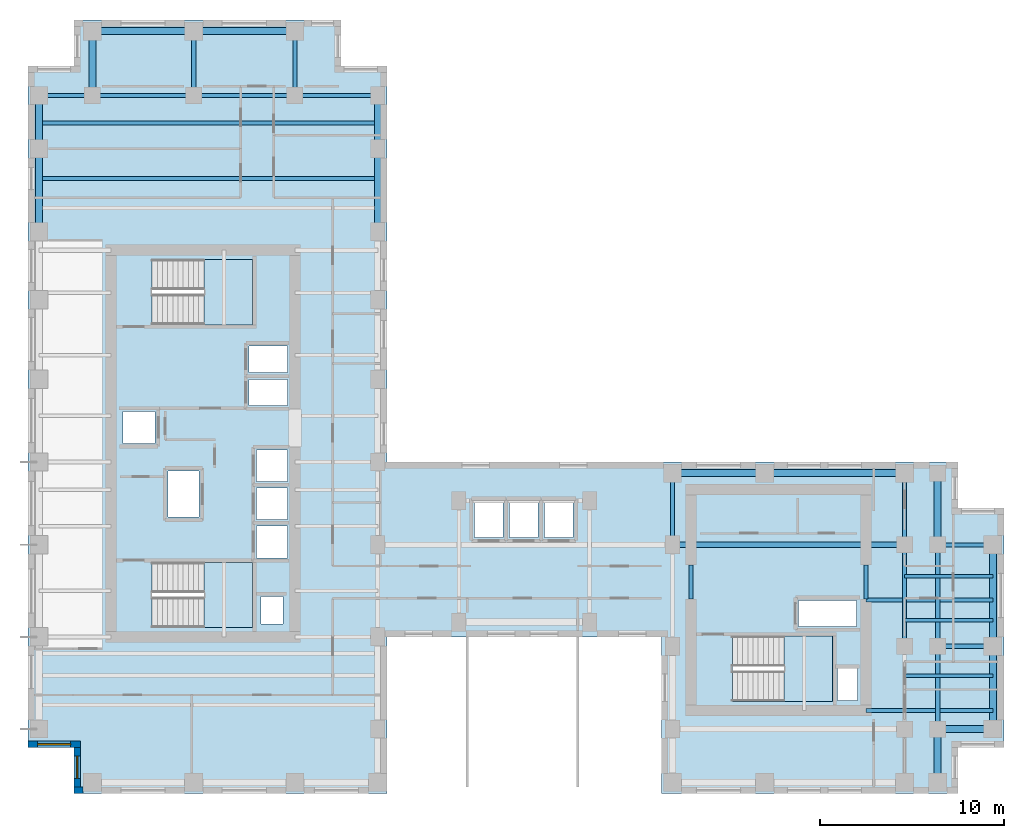
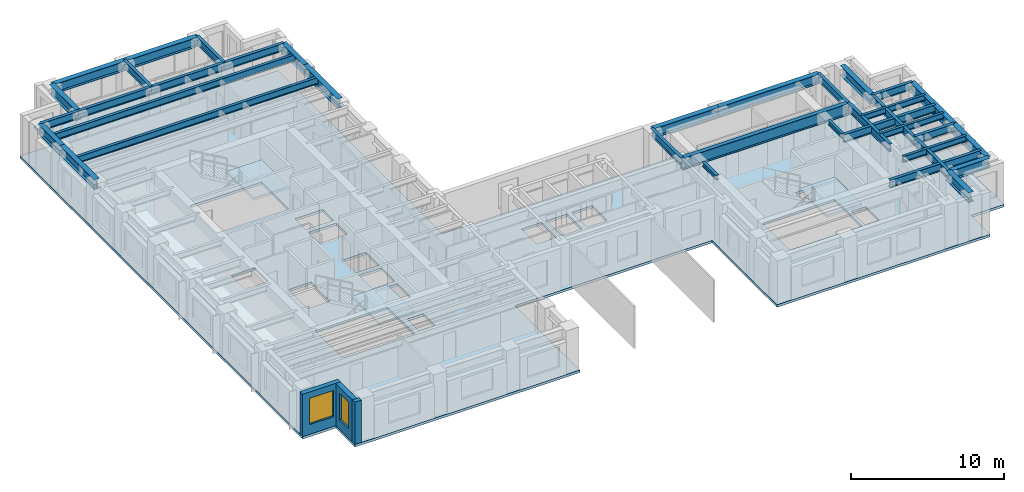
# One storey, part 2 of 11: 37 beams, 4 slabs, 3 walls, 2 windows, 2 openings, 3 elements without a shape of their own.
"""IFC4 building model written with IfcOpenShell, lengths in metres."""

from ifc_helpers import new_model, si_unit, direction, frame, frame_2d, origin, origin_2d, place, context, subcontext, project, spatial, polyline, rectangle, i_section, outline, extrude, source, transform, mapped, material, layer, layer_set, material_profile, profile_set, type_object, element, fill, aggregate, save


model = new_model("IFC4")

# Units and contexts
model_context = context("Model", 3, precision=1e-05, world=origin(), true_north=direction((0.0, 1.0)))
body_context = subcontext(model_context, "Body", "Model", "MODEL_VIEW")
ifc_project = project(units=[si_unit("LENGTHUNIT", "METRE"), si_unit("AREAUNIT", "SQUARE_METRE"), si_unit("VOLUMEUNIT", "CUBIC_METRE"), si_unit("PLANEANGLEUNIT", "RADIAN"), si_unit("MASSUNIT", "GRAM", prefix="KILO")], contexts=[model_context])

# Site, building, storey
site_placement = place(None, origin())
site = spatial("IfcSite", under=ifc_project, at=site_placement, CompositionType="ELEMENT")
building_placement = place(site_placement, origin())
building = spatial("IfcBuilding", under=site, at=building_placement, Name="Kharzan Plaza Tower", CompositionType="ELEMENT")
storey_placement = place(building_placement, frame((0.0, 0.0, 186.300048828125)))
storey = spatial("IfcBuildingStorey", under=building, at=storey_placement, Name="L50", CompositionType="ELEMENT", Elevation=186.300048828125)

# Beams
ifc_material_1 = material(Name="Steel S355", Category="steel")
ifc_material_profile_1 = material_profile(ifc_material_1, i_section(OverallWidth=0.205078125, OverallDepth=0.35400390625, WebThickness=0.009521484375, FlangeThickness=0.016845703125, at=origin_2d()), Name="W360x79")
ifc_profile_set_1 = profile_set([ifc_material_profile_1], Name="Steel S355")
beam_type_1 = type_object("IfcBeamType", Name="BM-LNT360", PredefinedType="LINTEL", material=ifc_profile_set_1)
shared_shape_1 = source(origin(), body_context, "Body", "SweptSolid", [
    extrude(i_section(OverallWidth=0.205078125, OverallDepth=0.35400390625, WebThickness=0.009521484375, FlangeThickness=0.016845703125, at=origin_2d()), origin(), (0.0, 0.0, 1.0), 1.849853515625),
])
for number, where, z_axis, x_axis, name in (
    (1, (45.5, 10.550048828125, 3.222900390625), (0.0, 1.0, 0.0), (-1.0, 0.0, 0.0), "L50 CORE-B coupling lintel LN1-WE"),
    (2, (36.0, 10.550048828125, 3.222900390625), (0.0, 1.0, 0.0), (-1.0, 0.0, 0.0), "L50 CORE-B coupling lintel LN1-WW"),
):
    element("IfcBeam", number, at=place(storey_placement, frame(where, z_axis=z_axis, x_axis=x_axis)), inside=storey, type_object=beam_type_1, Name=name, PredefinedType="LINTEL", context=body_context, shape_type="MappedRepresentation", body=[
        mapped(shared_shape_1, transform((0.0, 0.0, 0.0), x_axis=(1.0, 0.0, 0.0), y_axis=(0.0, 1.0, 0.0), z_axis=(0.0, 0.0, 1.0))),
    ])
ifc_material_profile_2 = material_profile(ifc_material_1, i_section(OverallWidth=0.304931640625, OverallDepth=0.9189453125, WebThickness=0.017333984375, FlangeThickness=0.02783203125, at=origin_2d()), Name="W920x253")
ifc_profile_set_2 = profile_set([ifc_material_profile_2], Name="Steel S355")
beam_type_2 = type_object("IfcBeamType", Name="BM-FG920B", PredefinedType="BEAM", material=ifc_profile_set_2)
shared_shape_2 = source(origin(), body_context, "Body", "SweptSolid", [
    extrude(i_section(OverallWidth=0.304931640625, OverallDepth=0.9189453125, WebThickness=0.017333984375, FlangeThickness=0.02783203125, at=origin_2d()), origin(), (0.0, 0.0, 1.0), 12.60009765625),
])
beam_1_placement = place(storey_placement, frame((35.0, 13.5, 2.9404296875), z_axis=(1.0, 0.0, 0.0), x_axis=(0.0, 1.0, 0.0)))
element("IfcBeam", 3, at=beam_1_placement, inside=storey, type_object=beam_type_2, Name="L50 Primary Floor Girder", PredefinedType="BEAM", context=body_context, shape_type="MappedRepresentation", body=[
    mapped(shared_shape_2, transform((0.0, 0.0, 0.0), x_axis=(1.0, 0.0, 0.0), y_axis=(0.0, 1.0, 0.0), z_axis=(0.0, 0.0, 1.0))),
])
ifc_material_profile_3 = material_profile(ifc_material_1, i_section(OverallWidth=0.2099609375, OverallDepth=0.537109375, WebThickness=0.010986328125, FlangeThickness=0.017333984375, at=origin_2d()), Name="W530x101")
ifc_profile_set_3 = profile_set([ifc_material_profile_3], Name="Steel S355")
beam_type_3 = type_object("IfcBeamType", Name="BM-JST530B", PredefinedType="JOIST", material=ifc_profile_set_3)
shared_shape_3 = source(origin(), body_context, "Body", "SweptSolid", [
    extrude(i_section(OverallWidth=0.2099609375, OverallDepth=0.537109375, WebThickness=0.010986328125, FlangeThickness=0.017333984375, at=origin_2d()), origin(), (0.0, 0.0, 1.0), 18.39990234375),
])
for number, where, z_axis, x_axis, name in (
    (4, (0.60009765625, 33.39990234375, 3.13134765625), (1.0, 0.0, 0.0), (0.0, 1.0, 0.0), "L50 Wing A Composite Joist 05"),
    (5, (0.60009765625, 36.39990234375, 3.13134765625), (1.0, 0.0, 0.0), (0.0, 1.0, 0.0), "L50 Wing A Composite Joist 06"),
):
    element("IfcBeam", number, at=place(storey_placement, frame(where, z_axis=z_axis, x_axis=x_axis)), inside=storey, type_object=beam_type_3, Name=name, PredefinedType="JOIST", context=body_context, shape_type="MappedRepresentation", body=[
        mapped(shared_shape_3, transform((0.0, 0.0, 0.0), x_axis=(1.0, 0.0, 0.0), y_axis=(0.0, 1.0, 0.0), z_axis=(0.0, 0.0, 1.0))),
    ])
ifc_material_profile_4 = material_profile(ifc_material_1, i_section(OverallWidth=0.22900390625, OverallDepth=0.612060546875, WebThickness=0.011962890625, FlangeThickness=0.01953125, at=origin_2d()), Name="W610x125")
ifc_profile_set_4 = profile_set([ifc_material_profile_4], Name="Steel S355")
beam_type_4 = type_object("IfcBeamType", Name="BM-FG610B", PredefinedType="BEAM", material=ifc_profile_set_4)
shared_shape_4 = source(origin(), body_context, "Body", "SweptSolid", [
    extrude(i_section(OverallWidth=0.22900390625, OverallDepth=0.612060546875, WebThickness=0.011962890625, FlangeThickness=0.01953125, at=origin_2d()), origin(), (0.0, 0.0, 1.0), 4.5),
])
for number, where, z_axis, x_axis, name in (
    (6, (49.39990234375, 3.5, 3.093994140625), (0.0, 1.0, 0.0), (-1.0, 0.0, 0.0), "L50 Interior Frame Girder"),
    (7, (14.5, 37.89990234375, 3.093994140625), (1.0, 0.0, 0.0), (0.0, 1.0, 0.0), "L50 Primary Floor Girder"),
):
    element("IfcBeam", number, at=place(storey_placement, frame(where, z_axis=z_axis, x_axis=x_axis)), inside=storey, type_object=beam_type_4, Name=name, PredefinedType="BEAM", context=body_context, shape_type="MappedRepresentation", body=[
        mapped(shared_shape_4, transform((0.0, 0.0, 0.0), x_axis=(1.0, 0.0, 0.0), y_axis=(0.0, 1.0, 0.0), z_axis=(0.0, 0.0, 1.0))),
    ])
shared_shape_5 = source(origin(), body_context, "Body", "SweptSolid", [
    extrude(i_section(OverallWidth=0.22900390625, OverallDepth=0.612060546875, WebThickness=0.011962890625, FlangeThickness=0.01953125, at=origin_2d()), origin(), (0.0, 0.0, 1.0), 3.89990234375),
])
for number, where, z_axis, x_axis, name in (
    (8, (35.0, 13.5, 3.093994140625), (0.0, 1.0, 0.0), (-1.0, 0.0, 0.0), "L50 Interior Frame Girder"),
    (9, (47.60009765625, 13.5, 3.093994140625), (0.0, 1.0, 0.0), (-1.0, 0.0, 0.0), "L50 Interior Frame Girder"),
):
    element("IfcBeam", number, at=place(storey_placement, frame(where, z_axis=z_axis, x_axis=x_axis)), inside=storey, type_object=beam_type_4, Name=name, PredefinedType="BEAM", context=body_context, shape_type="MappedRepresentation", body=[
        mapped(shared_shape_5, transform((0.0, 0.0, 0.0), x_axis=(1.0, 0.0, 0.0), y_axis=(0.0, 1.0, 0.0), z_axis=(0.0, 0.0, 1.0))),
    ])
shared_shape_6 = source(origin(), body_context, "Body", "SweptSolid", [
    extrude(i_section(OverallWidth=0.22900390625, OverallDepth=0.612060546875, WebThickness=0.011962890625, FlangeThickness=0.01953125, at=origin_2d()), origin(), (0.0, 0.0, 1.0), 6.89990234375),
])
for number, where, z_axis, x_axis, name in (
    (10, (45.5, 4.5, 3.093994140625), (1.0, 0.0, 0.0), (0.0, 1.0, 0.0), "L50 Core-B East Floor Girder 1"),
    (11, (45.5, 10.5, 3.093994140625), (1.0, 0.0, 0.0), (0.0, 1.0, 0.0), "L50 Core-B East Floor Girder 2"),
):
    element("IfcBeam", number, at=place(storey_placement, frame(where, z_axis=z_axis, x_axis=x_axis)), inside=storey, type_object=beam_type_4, Name=name, PredefinedType="BEAM", context=body_context, shape_type="MappedRepresentation", body=[
        mapped(shared_shape_6, transform((0.0, 0.0, 0.0), x_axis=(1.0, 0.0, 0.0), y_axis=(0.0, 1.0, 0.0), z_axis=(0.0, 0.0, 1.0))),
    ])
shared_shape_7 = source(origin(), body_context, "Body", "SweptSolid", [
    extrude(i_section(OverallWidth=0.22900390625, OverallDepth=0.612060546875, WebThickness=0.011962890625, FlangeThickness=0.01953125, at=origin_2d()), origin(), (0.0, 0.0, 1.0), 3.5),
])
for number, where, z_axis, x_axis, name in (
    (12, (9.0, 37.89990234375, 3.093994140625), (0.0, 1.0, 0.0), (-1.0, 0.0, 0.0), "L50 Interior Frame Girder"),
    (13, (14.5, 37.89990234375, 3.093994140625), (0.0, 1.0, 0.0), (-1.0, 0.0, 0.0), "L50 Interior Frame Girder"),
):
    element("IfcBeam", number, at=place(storey_placement, frame(where, z_axis=z_axis, x_axis=x_axis)), inside=storey, type_object=beam_type_4, Name=name, PredefinedType="BEAM", context=body_context, shape_type="MappedRepresentation", body=[
        mapped(shared_shape_7, transform((0.0, 0.0, 0.0), x_axis=(1.0, 0.0, 0.0), y_axis=(0.0, 1.0, 0.0), z_axis=(0.0, 0.0, 1.0))),
    ])
shared_shape_8 = source(origin(), body_context, "Body", "SweptSolid", [
    extrude(i_section(OverallWidth=0.22900390625, OverallDepth=0.612060546875, WebThickness=0.011962890625, FlangeThickness=0.01953125, at=origin_2d()), origin(), (0.0, 0.0, 1.0), 5.5),
])
for number, where, z_axis, x_axis, name in (
    (14, (47.60009765625, 8.0, 3.093994140625), (0.0, 1.0, 0.0), (-1.0, 0.0, 0.0), "L50 Interior Frame Girder"),
    (15, (49.39990234375, 8.0, 3.093994140625), (0.0, 1.0, 0.0), (-1.0, 0.0, 0.0), "L50 Interior Frame Girder"),
    (16, (3.5, 37.89990234375, 3.093994140625), (1.0, 0.0, 0.0), (0.0, 1.0, 0.0), "L50 Primary Floor Girder"),
    (17, (9.0, 37.89990234375, 3.093994140625), (1.0, 0.0, 0.0), (0.0, 1.0, 0.0), "L50 Primary Floor Girder"),
):
    element("IfcBeam", number, at=place(storey_placement, frame(where, z_axis=z_axis, x_axis=x_axis)), inside=storey, type_object=beam_type_4, Name=name, PredefinedType="BEAM", context=body_context, shape_type="MappedRepresentation", body=[
        mapped(shared_shape_8, transform((0.0, 0.0, 0.0), x_axis=(1.0, 0.0, 0.0), y_axis=(0.0, 1.0, 0.0), z_axis=(0.0, 0.0, 1.0))),
    ])
shared_shape_9 = source(origin(), body_context, "Body", "SweptSolid", [
    extrude(i_section(OverallWidth=0.22900390625, OverallDepth=0.612060546875, WebThickness=0.011962890625, FlangeThickness=0.01953125, at=origin_2d()), origin(), (0.0, 0.0, 1.0), 2.89990234375),
])
beam_2_placement = place(storey_placement, frame((0.60009765625, 37.89990234375, 3.093994140625), z_axis=(1.0, 0.0, 0.0), x_axis=(0.0, 1.0, 0.0)))
element("IfcBeam", 18, at=beam_2_placement, inside=storey, type_object=beam_type_4, Name="L50 Primary Floor Girder", PredefinedType="BEAM", context=body_context, shape_type="MappedRepresentation", body=[
    mapped(shared_shape_9, transform((0.0, 0.0, 0.0), x_axis=(1.0, 0.0, 0.0), y_axis=(0.0, 1.0, 0.0), z_axis=(0.0, 0.0, 1.0))),
])
shared_shape_10 = source(origin(), body_context, "Body", "SweptSolid", [
    extrude(i_section(OverallWidth=0.22900390625, OverallDepth=0.612060546875, WebThickness=0.011962890625, FlangeThickness=0.01953125, at=origin_2d()), origin(), (0.0, 0.0, 1.0), 3.0),
])
for number, where, z_axis, x_axis, name in (
    (19, (49.39990234375, 8.0, 3.093994140625), (1.0, 0.0, 0.0), (0.0, 1.0, 0.0), "L50 Primary Floor Girder"),
    (20, (49.39990234375, 13.5, 3.093994140625), (1.0, 0.0, 0.0), (0.0, 1.0, 0.0), "L50 Primary Floor Girder"),
):
    element("IfcBeam", number, at=place(storey_placement, frame(where, z_axis=z_axis, x_axis=x_axis)), inside=storey, type_object=beam_type_4, Name=name, PredefinedType="BEAM", context=body_context, shape_type="MappedRepresentation", body=[
        mapped(shared_shape_10, transform((0.0, 0.0, 0.0), x_axis=(1.0, 0.0, 0.0), y_axis=(0.0, 1.0, 0.0), z_axis=(0.0, 0.0, 1.0))),
    ])
ifc_material_profile_5 = material_profile(ifc_material_1, i_section(OverallWidth=0.194091796875, OverallDepth=0.468994140625, WebThickness=0.011474609375, FlangeThickness=0.0205078125, at=origin_2d()), Name="W460x106")
ifc_profile_set_5 = profile_set([ifc_material_profile_5], Name="Steel S355")
beam_type_5 = type_object("IfcBeamType", Name="BM-JST460", PredefinedType="JOIST", material=ifc_profile_set_5)
shared_shape_11 = source(origin(), body_context, "Body", "SweptSolid", [
    extrude(i_section(OverallWidth=0.194091796875, OverallDepth=0.468994140625, WebThickness=0.011474609375, FlangeThickness=0.0205078125, at=origin_2d()), origin(), (0.0, 0.0, 1.0), 4.7998046875),
])
for number, where, z_axis, x_axis, name in (
    (21, (47.60009765625, 6.39990234375, 3.16552734375), (1.0, 0.0, 0.0), (0.0, 1.0, 0.0), "L50 Wing B Composite Joist 02"),
    (22, (47.60009765625, 9.39990234375, 3.16552734375), (1.0, 0.0, 0.0), (0.0, 1.0, 0.0), "L50 Wing B Composite Joist 03"),
    (23, (47.60009765625, 11.800048828125, 3.16552734375), (1.0, 0.0, 0.0), (0.0, 1.0, 0.0), "L50 Wing B Composite Joist 04"),
):
    element("IfcBeam", number, at=place(storey_placement, frame(where, z_axis=z_axis, x_axis=x_axis)), inside=storey, type_object=beam_type_5, Name=name, PredefinedType="JOIST", context=body_context, shape_type="MappedRepresentation", body=[
        mapped(shared_shape_11, transform((0.0, 0.0, 0.0), x_axis=(1.0, 0.0, 0.0), y_axis=(0.0, 1.0, 0.0), z_axis=(0.0, 0.0, 1.0))),
    ])
ifc_material_profile_6 = material_profile(ifc_material_1, i_section(OverallWidth=0.381103515625, OverallDepth=0.77294921875, WebThickness=0.0166015625, FlangeThickness=0.027587890625, at=origin_2d()), Name="W760x257")
ifc_profile_set_6 = profile_set([ifc_material_profile_6], Name="Steel S355")
beam_type_6 = type_object("IfcBeamType", Name="BM-SP760A", PredefinedType="SPANDREL", material=ifc_profile_set_6)
shared_shape_12 = source(origin(), body_context, "Body", "SweptSolid", [
    extrude(i_section(OverallWidth=0.381103515625, OverallDepth=0.77294921875, WebThickness=0.0166015625, FlangeThickness=0.027587890625, at=origin_2d()), origin(), (0.0, 0.0, 1.0), 5.0),
])
beam_3_placement = place(storey_placement, frame((35.0, 17.39990234375, 3.013427734375), z_axis=(1.0, 0.0, 0.0), x_axis=(0.0, 1.0, 0.0)))
element("IfcBeam", 24, at=beam_3_placement, inside=storey, type_object=beam_type_6, Name="L50 Perimeter Tube Spandrel", PredefinedType="SPANDREL", context=body_context, shape_type="MappedRepresentation", body=[
    mapped(shared_shape_12, transform((0.0, 0.0, 0.0), x_axis=(1.0, 0.0, 0.0), y_axis=(0.0, 1.0, 0.0), z_axis=(0.0, 0.0, 1.0))),
])
shared_shape_13 = source(origin(), body_context, "Body", "SweptSolid", [
    extrude(i_section(OverallWidth=0.381103515625, OverallDepth=0.77294921875, WebThickness=0.0166015625, FlangeThickness=0.027587890625, at=origin_2d()), origin(), (0.0, 0.0, 1.0), 4.5),
])
for number, where, z_axis, x_axis, name in (
    (25, (0.60009765625, 30.5, 3.013427734375), (0.0, 1.0, 0.0), (-1.0, 0.0, 0.0), "L50 Perimeter Tube Spandrel"),
    (26, (19.0, 30.5, 3.013427734375), (0.0, 1.0, 0.0), (-1.0, 0.0, 0.0), "L50 Perimeter Tube Spandrel"),
    (27, (52.39990234375, 3.5, 3.013427734375), (0.0, 1.0, 0.0), (-1.0, 0.0, 0.0), "L50 Perimeter Tube Spandrel"),
):
    element("IfcBeam", number, at=place(storey_placement, frame(where, z_axis=z_axis, x_axis=x_axis)), inside=storey, type_object=beam_type_6, Name=name, PredefinedType="SPANDREL", context=body_context, shape_type="MappedRepresentation", body=[
        mapped(shared_shape_13, transform((0.0, 0.0, 0.0), x_axis=(1.0, 0.0, 0.0), y_axis=(0.0, 1.0, 0.0), z_axis=(0.0, 0.0, 1.0))),
    ])
shared_shape_14 = source(origin(), body_context, "Body", "SweptSolid", [
    extrude(i_section(OverallWidth=0.381103515625, OverallDepth=0.77294921875, WebThickness=0.0166015625, FlangeThickness=0.027587890625, at=origin_2d()), origin(), (0.0, 0.0, 1.0), 2.89990234375),
])
for number, where, z_axis, x_axis, name in (
    (28, (0.60009765625, 35.0, 3.013427734375), (0.0, 1.0, 0.0), (-1.0, 0.0, 0.0), "L50 Perimeter Tube Spandrel"),
    (29, (19.0, 35.0, 3.013427734375), (0.0, 1.0, 0.0), (-1.0, 0.0, 0.0), "L50 Perimeter Tube Spandrel"),
    (30, (49.39990234375, 0.60009765625, 3.013427734375), (0.0, 1.0, 0.0), (-1.0, 0.0, 0.0), "L50 Perimeter Tube Spandrel"),
):
    element("IfcBeam", number, at=place(storey_placement, frame(where, z_axis=z_axis, x_axis=x_axis)), inside=storey, type_object=beam_type_6, Name=name, PredefinedType="SPANDREL", context=body_context, shape_type="MappedRepresentation", body=[
        mapped(shared_shape_14, transform((0.0, 0.0, 0.0), x_axis=(1.0, 0.0, 0.0), y_axis=(0.0, 1.0, 0.0), z_axis=(0.0, 0.0, 1.0))),
    ])
shared_shape_15 = source(origin(), body_context, "Body", "SweptSolid", [
    extrude(i_section(OverallWidth=0.381103515625, OverallDepth=0.77294921875, WebThickness=0.0166015625, FlangeThickness=0.027587890625, at=origin_2d()), origin(), (0.0, 0.0, 1.0), 3.5),
])
beam_4_placement = place(storey_placement, frame((3.5, 37.89990234375, 3.013427734375), z_axis=(0.0, 1.0, 0.0), x_axis=(-1.0, 0.0, 0.0)))
element("IfcBeam", 31, at=beam_4_placement, inside=storey, type_object=beam_type_6, Name="L50 Perimeter Tube Spandrel", PredefinedType="SPANDREL", context=body_context, shape_type="MappedRepresentation", body=[
    mapped(shared_shape_15, transform((0.0, 0.0, 0.0), x_axis=(1.0, 0.0, 0.0), y_axis=(0.0, 1.0, 0.0), z_axis=(0.0, 0.0, 1.0))),
])
shared_shape_16 = source(origin(), body_context, "Body", "SweptSolid", [
    extrude(i_section(OverallWidth=0.381103515625, OverallDepth=0.77294921875, WebThickness=0.0166015625, FlangeThickness=0.027587890625, at=origin_2d()), origin(), (0.0, 0.0, 1.0), 3.89990234375),
])
beam_5_placement = place(storey_placement, frame((49.39990234375, 13.5, 3.013427734375), z_axis=(0.0, 1.0, 0.0), x_axis=(-1.0, 0.0, 0.0)))
element("IfcBeam", 32, at=beam_5_placement, inside=storey, type_object=beam_type_6, Name="L50 Perimeter Tube Spandrel", PredefinedType="SPANDREL", context=body_context, shape_type="MappedRepresentation", body=[
    mapped(shared_shape_16, transform((0.0, 0.0, 0.0), x_axis=(1.0, 0.0, 0.0), y_axis=(0.0, 1.0, 0.0), z_axis=(0.0, 0.0, 1.0))),
])
shared_shape_17 = source(origin(), body_context, "Body", "SweptSolid", [
    extrude(i_section(OverallWidth=0.381103515625, OverallDepth=0.77294921875, WebThickness=0.0166015625, FlangeThickness=0.027587890625, at=origin_2d()), origin(), (0.0, 0.0, 1.0), 5.5),
])
for number, where, z_axis, x_axis, name in (
    (33, (52.39990234375, 8.0, 3.013427734375), (0.0, 1.0, 0.0), (-1.0, 0.0, 0.0), "L50 Perimeter Tube Spandrel"),
    (34, (3.5, 41.39990234375, 3.013427734375), (1.0, 0.0, 0.0), (0.0, 1.0, 0.0), "L50 Perimeter Tube Spandrel"),
    (35, (9.0, 41.39990234375, 3.013427734375), (1.0, 0.0, 0.0), (0.0, 1.0, 0.0), "L50 Perimeter Tube Spandrel"),
):
    element("IfcBeam", number, at=place(storey_placement, frame(where, z_axis=z_axis, x_axis=x_axis)), inside=storey, type_object=beam_type_6, Name=name, PredefinedType="SPANDREL", context=body_context, shape_type="MappedRepresentation", body=[
        mapped(shared_shape_17, transform((0.0, 0.0, 0.0), x_axis=(1.0, 0.0, 0.0), y_axis=(0.0, 1.0, 0.0), z_axis=(0.0, 0.0, 1.0))),
    ])
shared_shape_18 = source(origin(), body_context, "Body", "SweptSolid", [
    extrude(i_section(OverallWidth=0.381103515625, OverallDepth=0.77294921875, WebThickness=0.0166015625, FlangeThickness=0.027587890625, at=origin_2d()), origin(), (0.0, 0.0, 1.0), 7.60009765625),
])
beam_6_placement = place(storey_placement, frame((40.0, 17.39990234375, 3.013427734375), z_axis=(1.0, 0.0, 0.0), x_axis=(0.0, 1.0, 0.0)))
element("IfcBeam", 36, at=beam_6_placement, inside=storey, type_object=beam_type_6, Name="L50 Perimeter Tube Spandrel", PredefinedType="SPANDREL", context=body_context, shape_type="MappedRepresentation", body=[
    mapped(shared_shape_18, transform((0.0, 0.0, 0.0), x_axis=(1.0, 0.0, 0.0), y_axis=(0.0, 1.0, 0.0), z_axis=(0.0, 0.0, 1.0))),
])
shared_shape_19 = source(origin(), body_context, "Body", "SweptSolid", [
    extrude(i_section(OverallWidth=0.381103515625, OverallDepth=0.77294921875, WebThickness=0.0166015625, FlangeThickness=0.027587890625, at=origin_2d()), origin(), (0.0, 0.0, 1.0), 3.0),
])
beam_7_placement = place(storey_placement, frame((49.39990234375, 3.5, 3.013427734375), z_axis=(1.0, 0.0, 0.0), x_axis=(0.0, 1.0, 0.0)))
element("IfcBeam", 37, at=beam_7_placement, inside=storey, type_object=beam_type_6, Name="L50 Perimeter Tube Spandrel", PredefinedType="SPANDREL", context=body_context, shape_type="MappedRepresentation", body=[
    mapped(shared_shape_19, transform((0.0, 0.0, 0.0), x_axis=(1.0, 0.0, 0.0), y_axis=(0.0, 1.0, 0.0), z_axis=(0.0, 0.0, 1.0))),
])

# Slab
ifc_material_2 = material(Name="Concrete C40/50", Category="concrete")
ifc_layer_1 = layer(ifc_material_2, 0.199951171875)
ifc_layer_set_1 = layer_set([ifc_layer_1], Name="Concrete C40/50")
slab_type_1 = type_object("IfcSlabType", Name="SL-FLOOR-200", PredefinedType="FLOOR", material=ifc_layer_set_1)
slab_1_placement = place(storey_placement, frame((0.0, 0.0, -0.199951171875)))
element("IfcSlab", 38, at=slab_1_placement, inside=storey, type_object=slab_type_1, Name="L50 Composite Structural Floor Slab 200 mm", PredefinedType="FLOOR", context=body_context, shape_type="SweptSolid", body=[
    extrude(outline(polyline([(34.39990234375, 18.0), (19.5, 18.0), (19.5, 39.5), (17.0, 39.5), (17.0, 42.0), (2.5, 42.0), (2.5, 39.5), (0.0, 39.5), (0.0, 2.5), (2.5, 2.5), (2.5, 0.0), (19.5, 0.0), (19.5, 8.5), (34.39990234375, 8.5), (34.39990234375, 0.0), (50.5, 0.0), (50.5, 2.5), (53.0, 2.5), (53.0, 15.5), (50.5, 15.5), (50.5, 18.0), (34.39990234375, 18.0)]), holes=[polyline([(12.199951171875, 9.0), (12.199951171875, 12.550048828125), (6.75, 12.550048828125), (6.75, 9.0), (12.199951171875, 9.0)]), polyline([(14.10009765625, 12.800048828125), (14.10009765625, 14.530029296875), (12.39990234375, 14.530029296875), (12.39990234375, 12.800048828125), (14.10009765625, 12.800048828125)]), polyline([(14.10009765625, 14.8701171875), (14.10009765625, 16.60009765625), (12.39990234375, 16.60009765625), (12.39990234375, 14.8701171875), (14.10009765625, 14.8701171875)]), polyline([(9.300048828125, 15.0), (9.300048828125, 17.5), (7.60009765625, 17.5), (7.60009765625, 15.0), (9.300048828125, 15.0)]), polyline([(6.89990234375, 19.010009765625), (6.89990234375, 20.72998046875), (5.14990234375, 20.72998046875), (5.14990234375, 19.010009765625), (6.89990234375, 19.010009765625)]), polyline([(14.10009765625, 21.070068359375), (14.10009765625, 22.489990234375), (12.0, 22.489990234375), (12.0, 21.070068359375), (14.10009765625, 21.070068359375)]), polyline([(14.10009765625, 22.8701171875), (14.10009765625, 24.2900390625), (12.0, 24.2900390625), (12.0, 22.8701171875), (14.10009765625, 22.8701171875)]), polyline([(12.199951171875, 25.449951171875), (12.199951171875, 29.0), (6.75, 29.0), (6.75, 25.449951171875), (12.199951171875, 25.449951171875)]), polyline([(45.050048828125, 5.050048828125), (45.050048828125, 6.800048828125), (43.949951171875, 6.800048828125), (43.949951171875, 5.050048828125), (45.050048828125, 5.050048828125)]), polyline([(43.699951171875, 5.0), (43.699951171875, 8.550048828125), (38.25, 8.550048828125), (38.25, 5.0), (43.699951171875, 5.0)]), polyline([(45.0, 9.070068359375), (45.0, 10.469970703125), (41.85009765625, 10.469970703125), (41.85009765625, 9.070068359375), (45.0, 9.070068359375)]), polyline([(13.85009765625, 9.199951171875), (13.85009765625, 10.699951171875), (12.64990234375, 10.699951171875), (12.64990234375, 9.199951171875), (13.85009765625, 9.199951171875)]), polyline([(25.800048828125, 13.89990234375), (25.800048828125, 15.85009765625), (24.25, 15.85009765625), (24.25, 13.89990234375), (25.800048828125, 13.89990234375)]), polyline([(27.699951171875, 13.89990234375), (27.699951171875, 15.85009765625), (26.14990234375, 15.85009765625), (26.14990234375, 13.89990234375), (27.699951171875, 13.89990234375)]), polyline([(29.60009765625, 13.89990234375), (29.60009765625, 15.85009765625), (28.050048828125, 15.85009765625), (28.050048828125, 13.89990234375), (29.60009765625, 13.89990234375)]), polyline([(14.10009765625, 16.93994140625), (14.10009765625, 18.64990234375), (12.39990234375, 18.64990234375), (12.39990234375, 16.93994140625), (14.10009765625, 16.93994140625)])]), origin(), (0.0, 0.0, 1.0), 0.199951171875),
])

# Stair, slab
stair_type_1 = type_object("IfcStairType", Name="STR-ST-1", PredefinedType="HALF_TURN_STAIR", material=ifc_material_2)
stair_1_placement = place(storey_placement, origin())
stair_1 = element("IfcStair", 39, at=stair_1_placement, inside=storey, type_object=stair_type_1, Name="L50 Protected Exit Stair ST-1", PredefinedType="HALF_TURN_STAIR")
ifc_layer_2 = layer(ifc_material_2, 0.219970703125)
ifc_layer_set_2 = layer_set([ifc_layer_2], Name="Concrete C40/50")
slab_type_2 = type_object("IfcSlabType", Name="SL-LANDING-220", PredefinedType="LANDING", material=ifc_layer_set_2)
slab_2_placement = place(storey_placement, frame((0.0, 0.0, 1.599853515625)))
slab_2 = element("IfcSlab", 40, at=slab_2_placement, type_object=slab_type_2, Name="ST-1 landing 1", PredefinedType="LANDING", context=body_context, shape_type="SweptSolid", body=[
    extrude(outline(polyline([(9.550048828125, 9.0), (12.199951171875, 9.0), (12.199951171875, 12.550048828125), (9.550048828125, 12.550048828125), (9.550048828125, 9.0)])), origin(), (0.0, 0.0, 1.0), 0.2001953125),
])
aggregate(stair_1, [slab_2])

stair_type_2 = type_object("IfcStairType", Name="STR-ST-2", PredefinedType="HALF_TURN_STAIR", material=ifc_material_2)
stair_2_placement = place(storey_placement, origin())
stair_2 = element("IfcStair", 41, at=stair_2_placement, inside=storey, type_object=stair_type_2, Name="L50 Protected Exit Stair ST-2", PredefinedType="HALF_TURN_STAIR")
slab_3_placement = place(storey_placement, frame((0.0, 0.0, 1.599853515625)))
slab_3 = element("IfcSlab", 42, at=slab_3_placement, type_object=slab_type_2, Name="ST-2 landing 1", PredefinedType="LANDING", context=body_context, shape_type="SweptSolid", body=[
    extrude(outline(polyline([(9.550048828125, 25.449951171875), (12.199951171875, 25.449951171875), (12.199951171875, 29.0), (9.550048828125, 29.0), (9.550048828125, 25.449951171875)])), origin(), (0.0, 0.0, 1.0), 0.2001953125),
])
aggregate(stair_2, [slab_3])

stair_type_3 = type_object("IfcStairType", Name="STR-ST-3", PredefinedType="HALF_TURN_STAIR", material=ifc_material_2)
stair_3_placement = place(storey_placement, origin())
stair_3 = element("IfcStair", 43, at=stair_3_placement, inside=storey, type_object=stair_type_3, Name="L50 Protected Exit Stair ST-3", PredefinedType="HALF_TURN_STAIR")
slab_4_placement = place(storey_placement, frame((0.0, 0.0, 1.599853515625)))
slab_4 = element("IfcSlab", 44, at=slab_4_placement, type_object=slab_type_2, Name="ST-3 landing 1", PredefinedType="LANDING", context=body_context, shape_type="SweptSolid", body=[
    extrude(outline(polyline([(41.050048828125, 5.0), (43.699951171875, 5.0), (43.699951171875, 8.550048828125), (41.050048828125, 8.550048828125), (41.050048828125, 5.0)])), origin(), (0.0, 0.0, 1.0), 0.2001953125),
])
aggregate(stair_3, [slab_4])

# Wall, opening, window
ifc_layer_3 = layer(ifc_material_2, 0.35009765625)
ifc_layer_set_3 = layer_set([ifc_layer_3], Name="Concrete C40/50")
wall_type = type_object("IfcWallType", Name="WL-EXT-MAS-Z3", PredefinedType="SOLIDWALL", material=ifc_layer_set_3)
wall_1_placement = place(storey_placement, frame((0.0, 2.675048828125, 0.0), z_axis=(0.0, 0.0, 1.0), x_axis=(1.0, 0.0, 0.0)))
wall_1 = element("IfcWall", 45, at=wall_1_placement, inside=storey, type_object=wall_type, Name="L50 Masonry-Frame Exterior Wall 18", PredefinedType="SOLIDWALL", context=body_context, shape_type="SweptSolid", body=[
    extrude(rectangle(XDim=2.85009765625, YDim=0.35009765625, at=frame_2d((1.425048828125, 0.0))), origin(), (0.0, 0.0, 1.0), 3.385009765625),
])
opening_1_placement = place(wall_1_placement, frame((0.52490234375, 0.0, 0.780029296875)))
opening_1 = element("IfcOpeningElement", 46, at=opening_1_placement, cuts=wall_1, Name="Opening W1", PredefinedType="OPENING", context=body_context, shape_type="SweptSolid", body=[
    extrude(rectangle(XDim=1.800048828125, YDim=2.10009765625, at=frame_2d((0.89990234375, 1.050048828125))), frame((0.0, 0.18505859375, 0.0), z_axis=(0.0, -1.0, 0.0), x_axis=(1.0, 0.0, 0.0)), (0.0, 0.0, 1.0), 0.3701171875),
])
ifc_material_3 = material(Name="Low-E Double Glazing", Category="glass")
window_type_1 = type_object("IfcWindowType", Name="WN-REC-1800x2100", PartitioningType="SINGLE_PANEL", PredefinedType="WINDOW", material=ifc_material_3)
shared_shape_20 = source(origin(), body_context, "Body", "SweptSolid", [
    extrude(rectangle(XDim=1.800048828125, YDim=2.10009765625, at=frame_2d((0.89990234375, 1.050048828125))), frame((0.0, 0.030029296875, 0.0), z_axis=(0.0, -1.0, 0.0), x_axis=(1.0, 0.0, 0.0)), (0.0, 0.0, 1.0), 0.06005859375),
])
window_1_placement = place(opening_1_placement, origin())
window_1 = element("IfcWindow", 47, at=window_1_placement, inside=storey, type_object=window_type_1, Name="L50 Recessed Solar-Control Window 18-1", OverallHeight=2.10009765625, OverallWidth=1.800048828125, PartitioningType="SINGLE_PANEL", PredefinedType="WINDOW", context=body_context, shape_type="MappedRepresentation", body=[
    mapped(shared_shape_20, transform((0.0, 0.0, 0.0), x_axis=(1.0, 0.0, 0.0), y_axis=(0.0, 1.0, 0.0), z_axis=(0.0, 0.0, 1.0))),
])
fill(opening_1, window_1)

wall_2_placement = place(storey_placement, frame((2.675048828125, 2.501953125, 0.0), z_axis=(0.0, 0.0, 1.0), x_axis=(0.0, -1.0, 0.0)))
wall_2 = element("IfcWall", 48, at=wall_2_placement, inside=storey, type_object=wall_type, Name="L50 Masonry-Frame Exterior Wall 19", PredefinedType="SOLIDWALL", context=body_context, shape_type="SweptSolid", body=[
    extrude(rectangle(XDim=2.154052734375, YDim=0.35009765625, at=frame_2d((1.0771484375, 0.0))), origin(), (0.0, 0.0, 1.0), 3.385009765625),
])
opening_2_placement = place(wall_2_placement, frame((0.47705078125, 0.0, 0.780029296875)))
opening_2 = element("IfcOpeningElement", 49, at=opening_2_placement, cuts=wall_2, Name="Opening W3", PredefinedType="OPENING", context=body_context, shape_type="SweptSolid", body=[
    extrude(rectangle(XDim=1.199951171875, YDim=2.10009765625, at=frame_2d((0.60009765625, 1.050048828125))), frame((0.0, 0.18505859375, 0.0), z_axis=(0.0, -1.0, 0.0), x_axis=(1.0, 0.0, 0.0)), (0.0, 0.0, 1.0), 0.3701171875),
])
window_type_2 = type_object("IfcWindowType", Name="WN-REC-1200x2100", PartitioningType="SINGLE_PANEL", PredefinedType="WINDOW", material=ifc_material_3)
shared_shape_21 = source(origin(), body_context, "Body", "SweptSolid", [
    extrude(rectangle(XDim=1.199951171875, YDim=2.10009765625, at=frame_2d((0.60009765625, 1.050048828125))), frame((0.0, 0.030029296875, 0.0), z_axis=(0.0, -1.0, 0.0), x_axis=(1.0, 0.0, 0.0)), (0.0, 0.0, 1.0), 0.06005859375),
])
window_2_placement = place(opening_2_placement, origin())
window_2 = element("IfcWindow", 50, at=window_2_placement, inside=storey, type_object=window_type_2, Name="L50 Recessed Solar-Control Window 19-1", OverallHeight=2.10009765625, OverallWidth=1.199951171875, PartitioningType="SINGLE_PANEL", PredefinedType="WINDOW", context=body_context, shape_type="MappedRepresentation", body=[
    mapped(shared_shape_21, transform((0.0, 0.0, 0.0), x_axis=(1.0, 0.0, 0.0), y_axis=(0.0, 1.0, 0.0), z_axis=(0.0, 0.0, 1.0))),
])
fill(opening_2, window_2)

# Wall
shared_shape_22 = source(origin(), body_context, "Body", "SweptSolid", [
    extrude(rectangle(XDim=0.501953125, YDim=0.35009765625, at=frame_2d((0.2509765625, 0.0))), origin(), (0.0, 0.0, 1.0), 3.385009765625),
])
wall_3_placement = place(storey_placement, frame((2.5, 0.175048828125, 0.0), z_axis=(0.0, 0.0, 1.0), x_axis=(1.0, 0.0, 0.0)))
element("IfcWall", 51, at=wall_3_placement, inside=storey, type_object=wall_type, Name="L50 Masonry-Frame Exterior Wall 20", PredefinedType="SOLIDWALL", context=body_context, shape_type="MappedRepresentation", body=[
    mapped(shared_shape_22, transform((0.0, 0.0, 0.0), x_axis=(1.0, 0.0, 0.0), y_axis=(0.0, 1.0, 0.0), z_axis=(0.0, 0.0, 1.0))),
])

save(model, "model.ifc")
